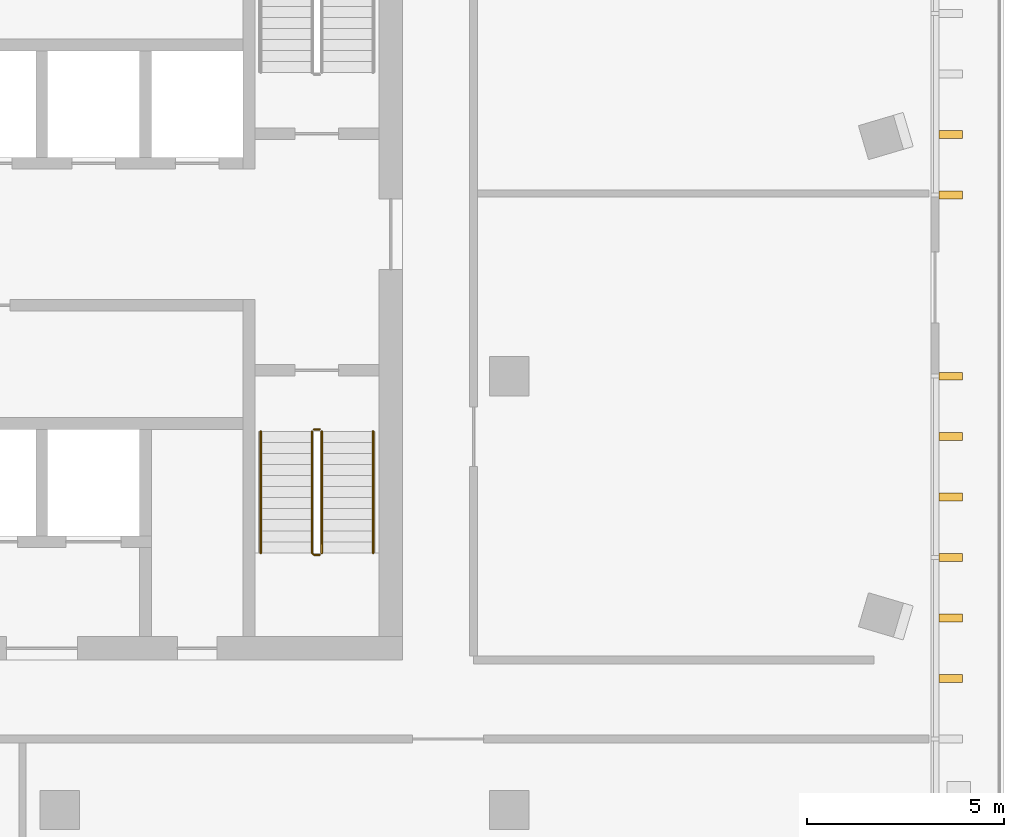
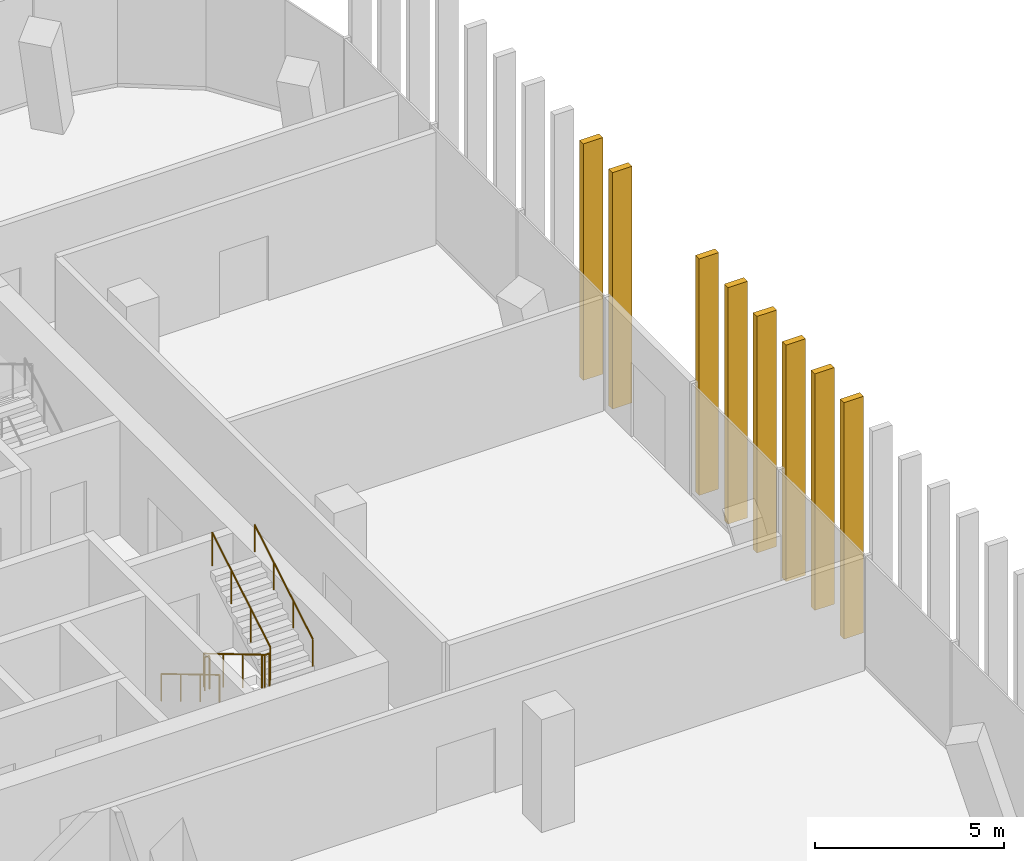
# One storey, part 14 of 16: 8 shading devices, 5 railings.
"""IFC4 building model written with IfcOpenShell, lengths in metres."""

from ifc_helpers import new_model, si_unit, direction, frame, origin, origin_2d, place, context, subcontext, project, spatial, rectangle, circle, extrude, material, type_object, element, save


model = new_model("IFC4")

# Units and contexts
model_context = context("Model", 3, precision=1e-05, world=origin(), true_north=direction((0.0, 1.0)))
body_context = subcontext(model_context, "Body", "Model", "MODEL_VIEW")
ifc_project = project(units=[si_unit("LENGTHUNIT", "METRE"), si_unit("AREAUNIT", "SQUARE_METRE"), si_unit("VOLUMEUNIT", "CUBIC_METRE"), si_unit("PLANEANGLEUNIT", "RADIAN"), si_unit("MASSUNIT", "GRAM", prefix="KILO")], contexts=[model_context])

# Site, building, storey
site_placement = place(None, origin())
site = spatial("IfcSite", under=ifc_project, at=site_placement, CompositionType="ELEMENT")
building_placement = place(site_placement, origin())
building = spatial("IfcBuilding", under=site, at=building_placement, Name="Mopane Tessera Tower", CompositionType="ELEMENT")
storey_placement = place(building_placement, frame((0.0, 0.0, 321.39990234375)))
storey = spatial("IfcBuildingStorey", under=building, at=storey_placement, Name="L70", CompositionType="ELEMENT", Elevation=321.39990234375)

# Shading devices
ifc_material_1 = material(Name="Glazed ceramic tile")
shading_device_type = type_object("IfcShadingDeviceType", Name="Ceramic tile fin 600 x 200 mm", PredefinedType="USERDEFINED", material=ifc_material_1)
for number, where, z_axis, x_axis, name in (
    (1, (28.300048828125, -7.666748046875, 0.000244140625), (0.0, 0.0, 1.0), (0.0, 1.0, 0.0), "e:fin:L70:E:2:1"),
    (2, (28.300048828125, -6.13330078125, 0.000244140625), (0.0, 0.0, 1.0), (0.0, 1.0, 0.0), "e:fin:L70:E:2:2"),
    (3, (28.300048828125, -4.60009765625, 0.000244140625), (0.0, 0.0, 1.0), (0.0, 1.0, 0.0), "e:fin:L70:E:3:0"),
    (4, (28.300048828125, -3.066650390625, 0.000244140625), (0.0, 0.0, 1.0), (0.0, 1.0, 0.0), "e:fin:L70:E:3:1"),
    (5, (28.300048828125, -1.533447265625, 0.000244140625), (0.0, 0.0, 1.0), (0.0, 1.0, 0.0), "e:fin:L70:E:3:2"),
    (6, (28.300048828125, 0.0, 0.000244140625), (0.0, 0.0, 1.0), (0.0, 1.0, 0.0), "e:fin:L70:E:3:3"),
    (7, (28.300048828125, 4.60009765625, 0.000244140625), (0.0, 0.0, 1.0), (0.0, 1.0, 0.0), "e:fin:L70:E:5:0"),
    (8, (28.300048828125, 6.13330078125, 0.000244140625), (0.0, 0.0, 1.0), (0.0, 1.0, 0.0), "e:fin:L70:E:5:1"),
):
    element("IfcShadingDevice", number, at=place(storey_placement, frame(where, z_axis=z_axis, x_axis=x_axis)), inside=storey, type_object=shading_device_type, Name=name, ObjectType="FIN", PredefinedType="USERDEFINED", context=body_context, shape_type="SweptSolid", body=[
        extrude(rectangle(XDim=0.199951171875, YDim=0.60009765625, at=origin_2d()), origin(), (0.0, 0.0, 1.0), 7.64990234375),
    ])

# Railings
ifc_material_2 = material(Name="Powder-coated steel balustrade", Category="steel")
railing_type_1 = type_object("IfcRailingType", Name="Escape stair guard 1100 mm", PredefinedType="GUARDRAIL", material=ifc_material_2)
railing_1_placement = place(storey_placement, frame((12.10009765625, -1.39990234375, 0.166748046875)))
element("IfcRailing", 9, at=railing_1_placement, inside=storey, type_object=railing_type_1, Name="L70 ST3 stair guard 1", PredefinedType="GUARDRAIL", context=body_context, shape_type="SweptSolid", body=[
    extrude(circle(Radius=0.02392578125, at=origin_2d()), frame((0.0, 0.0, 1.076171875), z_axis=(0.0, -0.859308565015, 0.511457515432), x_axis=(1.0, 0.0, 0.0)), (0.0, 0.0, 1.0), 3.58447265625),
    extrude(circle(Radius=0.02392578125, at=origin_2d()), frame((0.0, -3.080078125, 2.9091796875), z_axis=(0.705375805398, -0.708833529934, 0.0), x_axis=(0.708833529934, 0.705375805398, 0.0)), (0.0, 0.0, 1.0), 0.070556640625),
    extrude(circle(Radius=0.02392578125, at=origin_2d()), frame((0.0498046875, -3.130126953125, 2.9091796875), z_axis=(1.0, 0.0, 0.0), x_axis=(0.0, 1.0, 0.0)), (0.0, 0.0, 1.0), 0.150146484375),
    extrude(circle(Radius=0.02099609375, at=origin_2d()), origin(), (0.0, 0.0, 1.0), 1.052001953125),
    extrude(circle(Radius=0.02099609375, at=origin_2d()), frame((0.0, -1.026611328125, 0.611083984375)), (0.0, 0.0, 1.0), 1.052001953125),
    extrude(circle(Radius=0.02099609375, at=origin_2d()), frame((0.0, -2.053466796875, 1.22216796875)), (0.0, 0.0, 1.0), 1.052001953125),
    extrude(circle(Radius=0.02099609375, at=origin_2d()), frame((0.0, -3.080078125, 1.833251953125)), (0.0, 0.0, 1.0), 1.052001953125),
    extrude(circle(Radius=0.02099609375, at=origin_2d()), frame((0.0498046875, -3.130126953125, 1.833251953125)), (0.0, 0.0, 1.0), 1.052001953125),
    extrude(circle(Radius=0.02099609375, at=origin_2d()), frame((0.199951171875, -3.130126953125, 1.833251953125)), (0.0, 0.0, 1.0), 1.052001953125),
])
railing_2_placement = place(storey_placement, frame((12.35009765625, -4.47998046875, 2.166748046875)))
element("IfcRailing", 10, at=railing_2_placement, inside=storey, type_object=railing_type_1, Name="L70 ST3 stair guard 2", PredefinedType="GUARDRAIL", context=body_context, shape_type="SweptSolid", body=[
    extrude(circle(Radius=0.02392578125, at=origin_2d()), frame((0.0, 0.0, 1.076171875), z_axis=(0.0, 0.859308565015, 0.511457515432), x_axis=(-1.0, 0.0, 0.0)), (0.0, 0.0, 1.0), 3.58447265625),
    extrude(circle(Radius=0.02099609375, at=origin_2d()), origin(), (0.0, 0.0, 1.0), 1.052001953125),
    extrude(circle(Radius=0.02099609375, at=origin_2d()), frame((0.0, 1.026611328125, 0.611083984375)), (0.0, 0.0, 1.0), 1.052001953125),
    extrude(circle(Radius=0.02099609375, at=origin_2d()), frame((0.0, 2.053466796875, 1.22216796875)), (0.0, 0.0, 1.0), 1.052001953125),
    extrude(circle(Radius=0.02099609375, at=origin_2d()), frame((0.0, 3.080078125, 1.833251953125)), (0.0, 0.0, 1.0), 1.052001953125),
])
railing_3_placement = place(storey_placement, frame((12.14990234375, -1.35009765625, 0.0)))
element("IfcRailing", 11, at=railing_3_placement, inside=storey, type_object=railing_type_1, Name="L70 ST3 stair guard 3", PredefinedType="GUARDRAIL", context=body_context, shape_type="SweptSolid", body=[
    extrude(circle(Radius=0.02392578125, at=origin_2d()), frame((0.0, 0.0, 1.076171875), z_axis=(1.0, 0.0, 0.0), x_axis=(0.0, 1.0, 0.0)), (0.0, 0.0, 1.0), 0.150146484375),
    extrude(circle(Radius=0.02099609375, at=origin_2d()), origin(), (0.0, 0.0, 1.0), 1.052001953125),
    extrude(circle(Radius=0.02099609375, at=origin_2d()), frame((0.150146484375, 0.0, 0.0)), (0.0, 0.0, 1.0), 1.052001953125),
])
ifc_material_3 = material(Name="Powder-coated steel balustrade", Category="steel")
railing_type_2 = type_object("IfcRailingType", Name="Escape stair handrail 900 mm", PredefinedType="HANDRAIL", material=ifc_material_3)
railing_4_placement = place(storey_placement, frame((10.800048828125, -1.39990234375, 0.166748046875)))
element("IfcRailing", 12, at=railing_4_placement, inside=storey, type_object=railing_type_2, Name="L70 ST3 stair handrail 1", PredefinedType="HANDRAIL", context=body_context, shape_type="SweptSolid", body=[
    extrude(circle(Radius=0.02392578125, at=origin_2d()), frame((0.0, 0.0, 0.8759765625), z_axis=(0.0, -0.859308565015, 0.511457515432), x_axis=(1.0, 0.0, 0.0)), (0.0, 0.0, 1.0), 3.58447265625),
    extrude(circle(Radius=0.02099609375, at=origin_2d()), origin(), (0.0, 0.0, 1.0), 0.851806640625),
    extrude(circle(Radius=0.02099609375, at=origin_2d()), frame((0.0, -1.026611328125, 0.611083984375)), (0.0, 0.0, 1.0), 0.851806640625),
    extrude(circle(Radius=0.02099609375, at=origin_2d()), frame((0.0, -2.053466796875, 1.22216796875)), (0.0, 0.0, 1.0), 0.851806640625),
    extrude(circle(Radius=0.02099609375, at=origin_2d()), frame((0.0, -3.080078125, 1.833251953125)), (0.0, 0.0, 1.0), 0.851806640625),
])
railing_5_placement = place(storey_placement, frame((13.64990234375, -4.47998046875, 2.166748046875)))
element("IfcRailing", 13, at=railing_5_placement, inside=storey, type_object=railing_type_2, Name="L70 ST3 stair handrail 2", PredefinedType="HANDRAIL", context=body_context, shape_type="SweptSolid", body=[
    extrude(circle(Radius=0.02392578125, at=origin_2d()), frame((0.0, 0.0, 0.8759765625), z_axis=(0.0, 0.859308565015, 0.511457515432), x_axis=(-1.0, 0.0, 0.0)), (0.0, 0.0, 1.0), 3.58447265625),
    extrude(circle(Radius=0.02099609375, at=origin_2d()), origin(), (0.0, 0.0, 1.0), 0.851806640625),
    extrude(circle(Radius=0.02099609375, at=origin_2d()), frame((0.0, 1.026611328125, 0.611083984375)), (0.0, 0.0, 1.0), 0.851806640625),
    extrude(circle(Radius=0.02099609375, at=origin_2d()), frame((0.0, 2.053466796875, 1.22216796875)), (0.0, 0.0, 1.0), 0.851806640625),
    extrude(circle(Radius=0.02099609375, at=origin_2d()), frame((0.0, 3.080078125, 1.833251953125)), (0.0, 0.0, 1.0), 0.851806640625),
])

save(model, "model.ifc")
